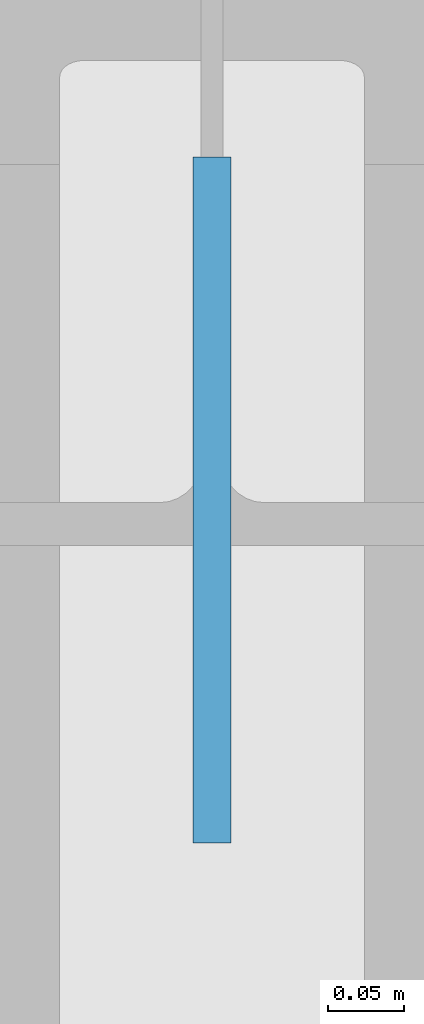
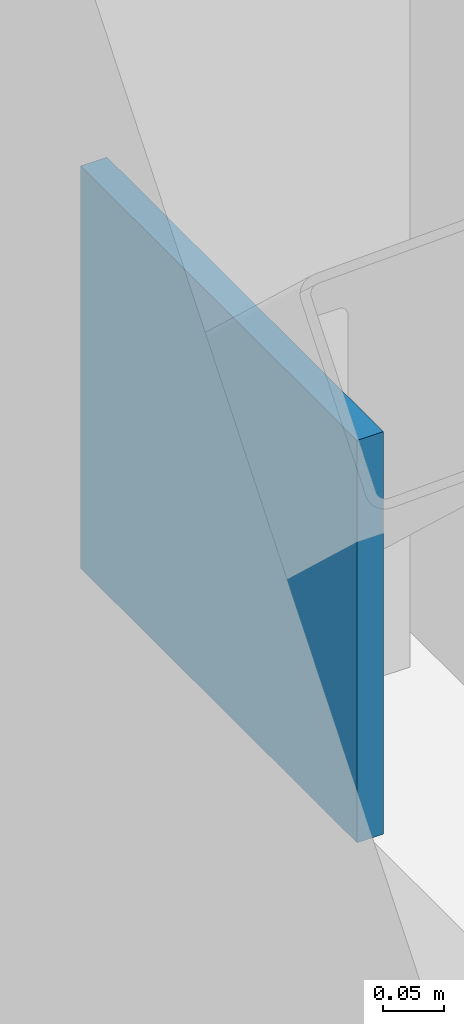
# One storey, part 43 of 51: 1 discrete accessory.
"""IFC4 building model written with IfcOpenShell, lengths in metres."""

from ifc_helpers import new_model, si_unit, direction, frame, origin, origin_2d, place, context, subcontext, project, spatial, rectangle, extrude, material, type_object, element, save


model = new_model("IFC4")

# Units and contexts
model_context = context("Model", 3, precision=1e-05, world=origin(), true_north=direction((0.0, 1.0)))
body_context = subcontext(model_context, "Body", "Model", "MODEL_VIEW")
ifc_project = project(units=[si_unit("LENGTHUNIT", "METRE"), si_unit("AREAUNIT", "SQUARE_METRE"), si_unit("VOLUMEUNIT", "CUBIC_METRE"), si_unit("PLANEANGLEUNIT", "RADIAN"), si_unit("MASSUNIT", "GRAM", prefix="KILO")], contexts=[model_context])

# Site, building, storey
site_placement = place(None, origin())
site = spatial("IfcSite", under=ifc_project, at=site_placement, CompositionType="ELEMENT")
building_placement = place(site_placement, origin())
building = spatial("IfcBuilding", under=site, at=building_placement, Name="Qalvenar Corner Mobility Hub", CompositionType="ELEMENT")
storey_placement = place(building_placement, frame((0.0, 0.0, -4.5)))
storey = spatial("IfcBuildingStorey", under=building, at=storey_placement, Name="B1", CompositionType="ELEMENT", Elevation=-4.5)

# Discrete accessory
ifc_material = material(Name="Steel S355", Category="steel")
discrete_accessory_type = type_object("IfcDiscreteAccessoryType", Name="ACC-GUSSET-PLT", PredefinedType="BRACKET", material=ifc_material)
discrete_accessory_placement = place(storey_placement, frame((0.0, 75.3798828125, 0.0), z_axis=(0.0, 0.0, 1.0), x_axis=(0.0, 1.0, 0.0)))
element("IfcDiscreteAccessory", 1, at=discrete_accessory_placement, inside=storey, type_object=discrete_accessory_type, Name="Brace Base Gusset Plate GP-B-069", PredefinedType="BRACKET", context=body_context, shape_type="SweptSolid", body=[
    extrude(rectangle(XDim=0.449951171875, YDim=0.02490234375, at=origin_2d()), origin(), (0.0, 0.0, 1.0), 0.39990234375),
])

save(model, "model.ifc")
